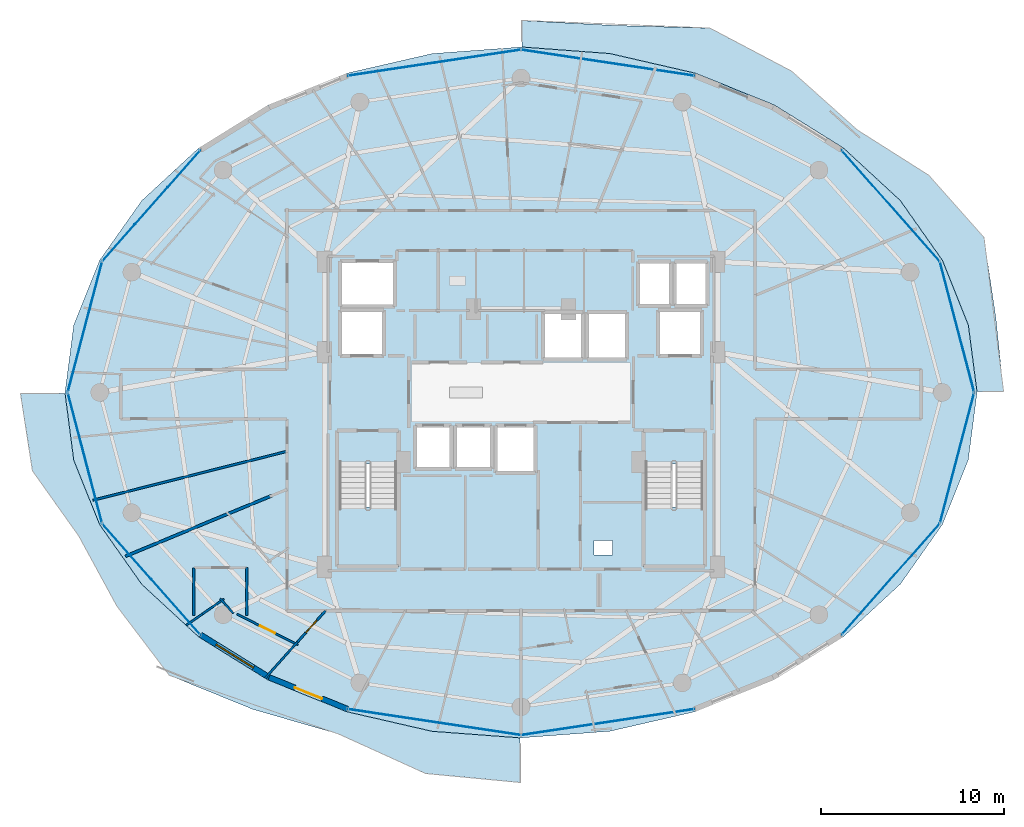
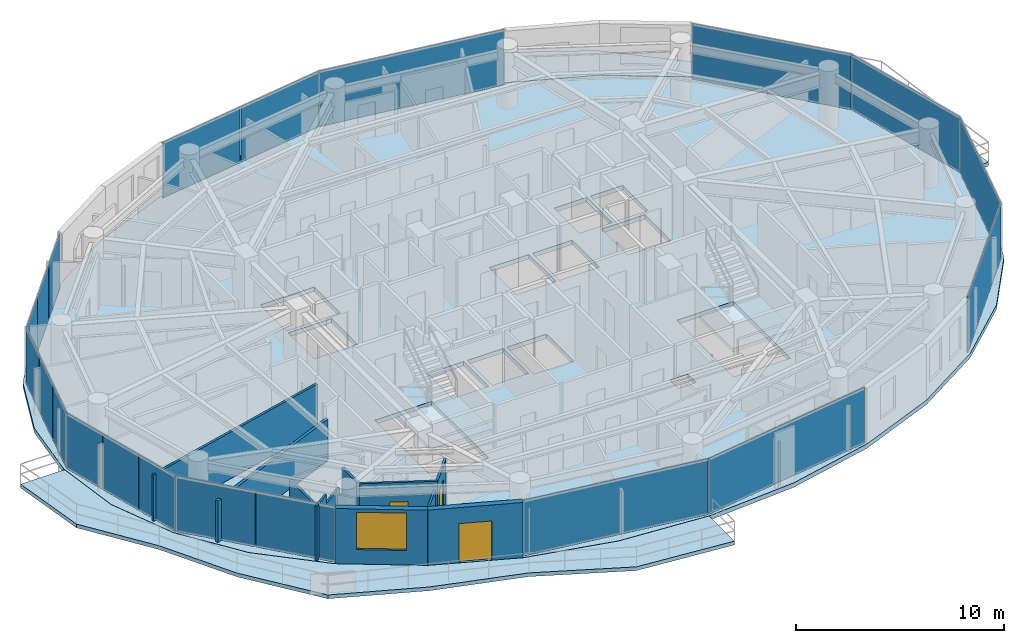
# One storey, part 19 of 28: 20 plates, 12 walls, 5 slabs, 3 doors, 1 window, 4 openings, 6 elements without a shape of their own.
"""IFC4 building model written with IfcOpenShell, lengths in metres."""

from ifc_helpers import new_model, si_unit, direction, frame, frame_2d, origin, origin_2d, place, context, subcontext, project, spatial, polyline, rectangle, outline, extrude, material, layer, layer_set, type_object, element, fill, aggregate, save


model = new_model("IFC4")

# Units and contexts
model_context = context("Model", 3, precision=1e-05, world=origin(), true_north=direction((0.0, 1.0)))
body_context = subcontext(model_context, "Body", "Model", "MODEL_VIEW")
ifc_project = project(units=[si_unit("LENGTHUNIT", "METRE"), si_unit("AREAUNIT", "SQUARE_METRE"), si_unit("VOLUMEUNIT", "CUBIC_METRE"), si_unit("PLANEANGLEUNIT", "RADIAN"), si_unit("MASSUNIT", "GRAM", prefix="KILO")], contexts=[model_context])

# Site, building, storey
site_placement = place(None, origin())
site = spatial("IfcSite", under=ifc_project, at=site_placement, CompositionType="ELEMENT")
building_placement = place(site_placement, origin())
building = spatial("IfcBuilding", under=site, at=building_placement, Name="Vorneva Point Tower", CompositionType="ELEMENT")
storey_placement = place(building_placement, frame((0.0, 0.0, 160.60009765625)))
storey = spatial("IfcBuildingStorey", under=building, at=storey_placement, Name="L43", CompositionType="ELEMENT", Elevation=160.60009765625)

# Curtain wall, plates
ifc_material_1 = material(Name="Pale anodised aluminium", Category="aluminium")
curtain_wall_type = type_object("IfcCurtainWallType", Name="CW-RES-SYS", PredefinedType="NOTDEFINED", material=ifc_material_1)
curtain_wall_1_placement = place(storey_placement, origin())
curtain_wall_1 = element("IfcCurtainWall", 1, at=curtain_wall_1_placement, inside=storey, type_object=curtain_wall_type, Name="L43 Unitised Curtain Wall CW-L43-R01", PredefinedType="NOTDEFINED")
ifc_material_2 = material(Name="Double low-e laminated glass IGU", Category="glass")
ifc_layer_1 = layer(ifc_material_2, 0.035888671875)
ifc_layer_set_1 = layer_set([ifc_layer_1], Name="Double low-e laminated glass IGU")
plate_type = type_object("IfcPlateType", Name="CW-PNL-VIS", PredefinedType="CURTAIN_PANEL", material=ifc_layer_set_1)
plate_1_placement = place(storey_placement, frame((58.22412109375, 15.783203125, -0.02001953125), z_axis=(0.0, 0.0, 1.0), x_axis=(0.662214727207, 0.749314123095, 0.0)))
plate_1 = element("IfcPlate", 2, at=plate_1_placement, type_object=plate_type, Name="CW-L43-R01 Glazed Panel 01", PredefinedType="CURTAIN_PANEL", context=body_context, shape_type="SweptSolid", body=[
    extrude(rectangle(XDim=8.068115234375, YDim=0.035888671875, at=origin_2d()), origin(), (0.0, 0.0, 1.0), 3.280029296875),
])
plate_2_placement = place(storey_placement, frame((61.856201171875, 22.412353515625, -0.02001953125), z_axis=(0.0, 0.0, 1.0), x_axis=(0.254433162972, 0.967090360608, 0.0)))
plate_2 = element("IfcPlate", 3, at=plate_2_placement, type_object=plate_type, Name="CW-L43-R01 Glazed Panel 02", PredefinedType="CURTAIN_PANEL", context=body_context, shape_type="SweptSolid", body=[
    extrude(rectangle(XDim=7.369384765625, YDim=0.035888671875, at=origin_2d()), origin(), (0.0, 0.0, 1.0), 3.280029296875),
])
plate_3_placement = place(storey_placement, frame((61.856201171875, 29.587646484375, -0.02001953125), z_axis=(0.0, 0.0, 1.0), x_axis=(-0.254433162972, 0.967090360608, 0.0)))
plate_3 = element("IfcPlate", 4, at=plate_3_placement, type_object=plate_type, Name="CW-L43-R01 Glazed Panel 03", PredefinedType="CURTAIN_PANEL", context=body_context, shape_type="SweptSolid", body=[
    extrude(rectangle(XDim=7.369384765625, YDim=0.035888671875, at=origin_2d()), origin(), (0.0, 0.0, 1.0), 3.280029296875),
])
plate_4_placement = place(storey_placement, frame((58.22412109375, 36.216796875, -0.02001953125), z_axis=(0.0, 0.0, 1.0), x_axis=(-0.662214727207, 0.749314123095, 0.0)))
plate_4 = element("IfcPlate", 5, at=plate_4_placement, type_object=plate_type, Name="CW-L43-R01 Glazed Panel 04", PredefinedType="CURTAIN_PANEL", context=body_context, shape_type="SweptSolid", body=[
    extrude(rectangle(XDim=8.068115234375, YDim=0.035888671875, at=origin_2d()), origin(), (0.0, 0.0, 1.0), 3.280029296875),
])
aggregate(curtain_wall_1, [plate_1, plate_2, plate_3, plate_4])

curtain_wall_2_placement = place(storey_placement, origin())
curtain_wall_2 = element("IfcCurtainWall", 6, at=curtain_wall_2_placement, inside=storey, type_object=curtain_wall_type, Name="L43 Unitised Curtain Wall CW-L43-R02", PredefinedType="NOTDEFINED")
plate_5_placement = place(storey_placement, frame((42.7451171875, 44.036376953125, -0.02001953125), z_axis=(0.0, 0.0, 1.0), x_axis=(-0.988878712919, 0.148724211669, 0.0)))
plate_5 = element("IfcPlate", 7, at=plate_5_placement, type_object=plate_type, Name="CW-L43-R02 Glazed Panel 01", PredefinedType="CURTAIN_PANEL", context=body_context, shape_type="SweptSolid", body=[
    extrude(rectangle(XDim=9.547119140625, YDim=0.035888671875, at=origin_2d()), origin(), (0.0, 0.0, 1.0), 3.280029296875),
])
plate_6_placement = place(storey_placement, frame((35.62744140625, 44.393310546875, -0.02001953125), z_axis=(0.0, 0.0, 1.0), x_axis=(-0.988878712919, -0.148724211669, 0.0)))
plate_6 = element("IfcPlate", 8, at=plate_6_placement, type_object=plate_type, Name="CW-L43-R02 Glazed Panel 02A", PredefinedType="CURTAIN_PANEL", context=body_context, shape_type="SweptSolid", body=[
    extrude(rectangle(XDim=4.74853515625, YDim=0.035888671875, at=origin_2d()), origin(), (0.0, 0.0, 1.0), 3.280029296875),
])
plate_7_placement = place(storey_placement, frame((30.882080078125, 43.679443359375, -0.02001953125), z_axis=(0.0, 0.0, 1.0), x_axis=(-0.988878712919, -0.148724211669, 0.0)))
plate_7 = element("IfcPlate", 9, at=plate_7_placement, type_object=plate_type, Name="CW-L43-R02 Glazed Panel 02B", PredefinedType="CURTAIN_PANEL", context=body_context, shape_type="SweptSolid", body=[
    extrude(rectangle(XDim=4.74853515625, YDim=0.035888671875, at=origin_2d()), origin(), (0.0, 0.0, 1.0), 3.280029296875),
])
aggregate(curtain_wall_2, [plate_5, plate_6, plate_7])

curtain_wall_3_placement = place(storey_placement, origin())
curtain_wall_3 = element("IfcCurtainWall", 10, at=curtain_wall_3_placement, inside=storey, type_object=curtain_wall_type, Name="L43 Unitised Curtain Wall CW-L43-R03", PredefinedType="NOTDEFINED")
plate_8_placement = place(storey_placement, frame((19.56787109375, 38.244384765625, -0.02001953125), z_axis=(0.0, 0.0, 1.0), x_axis=(-0.662214727207, -0.749314123095, 0.0)))
plate_8 = element("IfcPlate", 11, at=plate_8_placement, type_object=plate_type, Name="CW-L43-R03 Glazed Panel 01A", PredefinedType="CURTAIN_PANEL", context=body_context, shape_type="SweptSolid", body=[
    extrude(rectangle(XDim=2.656005859375, YDim=0.035888671875, at=origin_2d()), origin(), (0.0, 0.0, 1.0), 3.280029296875),
])
plate_9_placement = place(storey_placement, frame((17.77587890625, 36.216796875, -0.02001953125), z_axis=(0.0, 0.0, 1.0), x_axis=(-0.662214727207, -0.749314123095, 0.0)))
plate_9 = element("IfcPlate", 12, at=plate_9_placement, type_object=plate_type, Name="CW-L43-R03 Glazed Panel 01B", PredefinedType="CURTAIN_PANEL", context=body_context, shape_type="SweptSolid", body=[
    extrude(rectangle(XDim=2.656005859375, YDim=0.035888671875, at=origin_2d()), origin(), (0.0, 0.0, 1.0), 3.280029296875),
])
plate_10_placement = place(storey_placement, frame((15.98388671875, 34.189208984375, -0.02001953125), z_axis=(0.0, 0.0, 1.0), x_axis=(-0.662214727207, -0.749314123095, 0.0)))
plate_10 = element("IfcPlate", 13, at=plate_10_placement, type_object=plate_type, Name="CW-L43-R03 Glazed Panel 01C", PredefinedType="CURTAIN_PANEL", context=body_context, shape_type="SweptSolid", body=[
    extrude(rectangle(XDim=2.656005859375, YDim=0.035888671875, at=origin_2d()), origin(), (0.0, 0.0, 1.0), 3.280029296875),
])
plate_11_placement = place(storey_placement, frame((14.773193359375, 31.9794921875, -0.02001953125), z_axis=(0.0, 0.0, 1.0), x_axis=(-0.254433162972, -0.967090360608, 0.0)))
plate_11 = element("IfcPlate", 14, at=plate_11_placement, type_object=plate_type, Name="CW-L43-R03 Glazed Panel 02A", PredefinedType="CURTAIN_PANEL", context=body_context, shape_type="SweptSolid", body=[
    extrude(rectangle(XDim=2.423095703125, YDim=0.035888671875, at=origin_2d()), origin(), (0.0, 0.0, 1.0), 3.280029296875),
])
plate_12_placement = place(storey_placement, frame((14.143798828125, 29.587646484375, -0.02001953125), z_axis=(0.0, 0.0, 1.0), x_axis=(-0.254433162972, -0.967090360608, 0.0)))
plate_12 = element("IfcPlate", 15, at=plate_12_placement, type_object=plate_type, Name="CW-L43-R03 Glazed Panel 02B", PredefinedType="CURTAIN_PANEL", context=body_context, shape_type="SweptSolid", body=[
    extrude(rectangle(XDim=2.423095703125, YDim=0.035888671875, at=origin_2d()), origin(), (0.0, 0.0, 1.0), 3.280029296875),
])
plate_13_placement = place(storey_placement, frame((13.5146484375, 27.19580078125, -0.02001953125), z_axis=(0.0, 0.0, 1.0), x_axis=(-0.254433162972, -0.967090360608, 0.0)))
plate_13 = element("IfcPlate", 16, at=plate_13_placement, type_object=plate_type, Name="CW-L43-R03 Glazed Panel 02C", PredefinedType="CURTAIN_PANEL", context=body_context, shape_type="SweptSolid", body=[
    extrude(rectangle(XDim=2.423095703125, YDim=0.035888671875, at=origin_2d()), origin(), (0.0, 0.0, 1.0), 3.280029296875),
])
plate_14_placement = place(storey_placement, frame((13.5146484375, 24.80419921875, -0.02001953125), z_axis=(0.0, 0.0, 1.0), x_axis=(0.254433162972, -0.967090360608, 0.0)))
plate_14 = element("IfcPlate", 17, at=plate_14_placement, type_object=plate_type, Name="CW-L43-R03 Glazed Panel 03A", PredefinedType="CURTAIN_PANEL", context=body_context, shape_type="SweptSolid", body=[
    extrude(rectangle(XDim=2.423095703125, YDim=0.035888671875, at=origin_2d()), origin(), (0.0, 0.0, 1.0), 3.280029296875),
])
plate_15_placement = place(storey_placement, frame((14.143798828125, 22.412353515625, -0.02001953125), z_axis=(0.0, 0.0, 1.0), x_axis=(0.254433162972, -0.967090360608, 0.0)))
plate_15 = element("IfcPlate", 18, at=plate_15_placement, type_object=plate_type, Name="CW-L43-R03 Glazed Panel 03B", PredefinedType="CURTAIN_PANEL", context=body_context, shape_type="SweptSolid", body=[
    extrude(rectangle(XDim=2.423095703125, YDim=0.035888671875, at=origin_2d()), origin(), (0.0, 0.0, 1.0), 3.280029296875),
])
plate_16_placement = place(storey_placement, frame((14.773193359375, 20.0205078125, -0.02001953125), z_axis=(0.0, 0.0, 1.0), x_axis=(0.254433162972, -0.967090360608, 0.0)))
plate_16 = element("IfcPlate", 19, at=plate_16_placement, type_object=plate_type, Name="CW-L43-R03 Glazed Panel 03C", PredefinedType="CURTAIN_PANEL", context=body_context, shape_type="SweptSolid", body=[
    extrude(rectangle(XDim=2.423095703125, YDim=0.035888671875, at=origin_2d()), origin(), (0.0, 0.0, 1.0), 3.280029296875),
])
plate_17_placement = place(storey_placement, frame((16.431884765625, 17.303955078125, -0.02001953125), z_axis=(0.0, 0.0, 1.0), x_axis=(0.662214727207, -0.749314123095, 0.0)))
plate_17 = element("IfcPlate", 20, at=plate_17_placement, type_object=plate_type, Name="CW-L43-R03 Glazed Panel 04A", PredefinedType="CURTAIN_PANEL", context=body_context, shape_type="SweptSolid", body=[
    extrude(rectangle(XDim=4.009033203125, YDim=0.035888671875, at=origin_2d()), origin(), (0.0, 0.0, 1.0), 3.280029296875),
])
plate_18_placement = place(storey_placement, frame((19.119873046875, 14.262451171875, -0.02001953125), z_axis=(0.0, 0.0, 1.0), x_axis=(0.662214727207, -0.749314123095, 0.0)))
plate_18 = element("IfcPlate", 21, at=plate_18_placement, type_object=plate_type, Name="CW-L43-R03 Glazed Panel 04B", PredefinedType="CURTAIN_PANEL", context=body_context, shape_type="SweptSolid", body=[
    extrude(rectangle(XDim=4.009033203125, YDim=0.035888671875, at=origin_2d()), origin(), (0.0, 0.0, 1.0), 3.280029296875),
])
aggregate(curtain_wall_3, [plate_8, plate_9, plate_10, plate_11, plate_12, plate_13, plate_14, plate_15, plate_16, plate_17, plate_18])

curtain_wall_4_placement = place(storey_placement, origin())
curtain_wall_4 = element("IfcCurtainWall", 22, at=curtain_wall_4_placement, inside=storey, type_object=curtain_wall_type, Name="L43 Unitised Curtain Wall CW-L43-R04", PredefinedType="NOTDEFINED")
plate_19_placement = place(storey_placement, frame((33.2548828125, 7.963623046875, -0.02001953125), z_axis=(0.0, 0.0, 1.0), x_axis=(0.988878712919, -0.148724211669, 0.0)))
plate_19 = element("IfcPlate", 23, at=plate_19_placement, type_object=plate_type, Name="CW-L43-R04 Glazed Panel 01", PredefinedType="CURTAIN_PANEL", context=body_context, shape_type="SweptSolid", body=[
    extrude(rectangle(XDim=9.547119140625, YDim=0.035888671875, at=origin_2d()), origin(), (0.0, 0.0, 1.0), 3.280029296875),
])
plate_20_placement = place(storey_placement, frame((42.7451171875, 7.963623046875, -0.02001953125), z_axis=(0.0, 0.0, 1.0), x_axis=(0.988878712919, 0.148724211669, 0.0)))
plate_20 = element("IfcPlate", 24, at=plate_20_placement, type_object=plate_type, Name="CW-L43-R04 Glazed Panel 02", PredefinedType="CURTAIN_PANEL", context=body_context, shape_type="SweptSolid", body=[
    extrude(rectangle(XDim=9.547119140625, YDim=0.035888671875, at=origin_2d()), origin(), (0.0, 0.0, 1.0), 3.280029296875),
])
aggregate(curtain_wall_4, [plate_19, plate_20])

# Slabs
ifc_material_3 = material(Name="Concrete B50 (C40/50)", Category="concrete")
ifc_layer_2 = layer(ifc_material_3, 0.219970703125)
ifc_layer_set_2 = layer_set([ifc_layer_2], Name="Concrete B50 (C40/50)")
slab_type_1 = type_object("IfcSlabType", Name="SLB-BAL-220", PredefinedType="FLOOR", material=ifc_layer_set_2)
slab_1_placement = place(storey_placement, frame((0.0, 0.0, -0.22021484375)))
element("IfcSlab", 25, at=slab_1_placement, inside=storey, type_object=slab_type_1, Name="L43 Cantilevered Wave Balcony NE", PredefinedType="FLOOR", context=body_context, shape_type="SweptSolid", body=[
    extrude(outline(polyline([(38.050048828125, 46.352294921875), (38.050048828125, 44.900390625), (42.867919921875, 44.540771484375), (42.8681640625, 44.540771484375), (42.868408203125, 44.540771484375), (47.548828125, 43.465087890625), (47.54931640625, 43.465087890625), (47.549560546875, 43.465087890625), (51.863037109375, 41.718505859375), (51.86328125, 41.718505859375), (51.863525390625, 41.71826171875), (55.644287109375, 39.36767578125), (55.644775390625, 39.367431640625), (55.64501953125, 39.3671875), (58.747802734375, 36.503173828125), (58.748291015625, 36.5029296875), (58.74853515625, 36.502685546875), (61.05419921875, 33.235107421875), (61.05419921875, 33.234619140625), (61.054443359375, 33.234130859375), (62.474365234375, 29.688720703125), (62.474365234375, 29.6884765625), (62.474609375, 29.68798828125), (62.474609375, 29.687744140625), (62.947509765625, 26.050048828125), (64.39990234375, 26.050048828125), (63.98046875, 30.083740234375), (63.3291015625, 34.478515625), (60.31005859375, 37.880615234375), (56.397216796875, 40.360595703125), (52.8037109375, 43.576416015625), (48.325439453125, 45.93896484375), (43.10009765625, 46.08056640625), (38.050048828125, 46.352294921875)])), origin(), (0.0, 0.0, 1.0), 0.22021484375),
])
slab_2_placement = place(storey_placement, frame((0.0, 0.0, -0.22021484375)))
element("IfcSlab", 26, at=slab_2_placement, inside=storey, type_object=slab_type_1, Name="L43 Cantilevered Wave Balcony SW", PredefinedType="FLOOR", context=body_context, shape_type="SweptSolid", body=[
    extrude(outline(polyline([(37.949951171875, 4.65966796875), (37.949951171875, 7.099609375), (33.132080078125, 7.459228515625), (33.1318359375, 7.459228515625), (33.131591796875, 7.459228515625), (28.451171875, 8.534912109375), (28.45068359375, 8.534912109375), (28.450439453125, 8.534912109375), (24.136962890625, 10.281494140625), (24.13671875, 10.281494140625), (24.136474609375, 10.28173828125), (20.355712890625, 12.63232421875), (20.355224609375, 12.632568359375), (20.35498046875, 12.6328125), (17.252197265625, 15.496826171875), (17.251708984375, 15.4970703125), (17.25146484375, 15.497314453125), (14.94580078125, 18.764892578125), (14.94580078125, 18.765380859375), (14.945556640625, 18.765869140625), (13.525634765625, 22.311279296875), (13.525634765625, 22.3115234375), (13.525390625, 22.31201171875), (13.525390625, 22.312255859375), (13.052490234375, 25.949951171875), (10.61279296875, 25.949951171875), (11.26708984375, 21.71875), (13.8056640625, 18.14208984375), (15.89501953125, 14.300048828125), (18.757568359375, 10.523193359375), (23.319580078125, 8.667236328125), (28.06201171875, 7.295166015625), (32.783935546875, 5.150390625), (37.949951171875, 4.65966796875)])), origin(), (0.0, 0.0, 1.0), 0.22021484375),
])

# Stair, slab
stair_type = type_object("IfcStairType", Name="ST-DOG-1500", PredefinedType="HALF_TURN_STAIR", material=ifc_material_3)
stair_1_placement = place(storey_placement, origin())
stair_1 = element("IfcStair", 27, at=stair_1_placement, inside=storey, type_object=stair_type, Name="L43 ST1", PredefinedType="HALF_TURN_STAIR")
ifc_layer_3 = layer(ifc_material_3, 0.199951171875)
ifc_layer_set_3 = layer_set([ifc_layer_3], Name="Concrete B50 (C40/50)")
slab_type_2 = type_object("IfcSlabType", Name="SLB-LND-200", PredefinedType="LANDING", material=ifc_layer_set_3)
slab_3_placement = place(storey_placement, frame((0.0, 0.0, 1.5498046875)))
slab_3 = element("IfcSlab", 28, at=slab_3_placement, type_object=slab_type_2, Name="ST1 landing 1", PredefinedType="LANDING", context=body_context, shape_type="SweptSolid", body=[
    extrude(outline(polyline([(27.929931640625, 16.47998046875), (31.320068359375, 16.47998046875), (31.320068359375, 19.72998046875), (27.929931640625, 19.72998046875), (27.929931640625, 16.47998046875)])), origin(), (0.0, 0.0, 1.0), 0.2001953125),
])
aggregate(stair_1, [slab_3])

stair_2_placement = place(storey_placement, origin())
stair_2 = element("IfcStair", 29, at=stair_2_placement, inside=storey, type_object=stair_type, Name="L43 ST2", PredefinedType="HALF_TURN_STAIR")
slab_4_placement = place(storey_placement, frame((0.0, 0.0, 1.5498046875)))
slab_4 = element("IfcSlab", 30, at=slab_4_placement, type_object=slab_type_2, Name="ST2 landing 1", PredefinedType="LANDING", context=body_context, shape_type="SweptSolid", body=[
    extrude(outline(polyline([(44.679931640625, 16.47998046875), (48.070068359375, 16.47998046875), (48.070068359375, 19.72998046875), (44.679931640625, 19.72998046875), (44.679931640625, 16.47998046875)])), origin(), (0.0, 0.0, 1.0), 0.2001953125),
])
aggregate(stair_2, [slab_4])

# Slab
ifc_layer_4 = layer(ifc_material_3, 0.260009765625)
ifc_layer_set_4 = layer_set([ifc_layer_4], Name="Concrete B50 (C40/50)")
slab_type_3 = type_object("IfcSlabType", Name="SLB-TYP-260", PredefinedType="FLOOR", material=ifc_layer_set_4)
slab_5_placement = place(storey_placement, frame((0.0, 0.0, -0.260009765625)))
element("IfcSlab", 31, at=slab_5_placement, inside=storey, type_object=slab_type_3, Name="L43 Structural Floor Plate", PredefinedType="FLOOR", context=body_context, shape_type="SweptSolid", body=[
    extrude(outline(polyline([(62.949951171875, 26.0), (62.470703125, 29.687255859375), (61.05078125, 33.232666015625), (58.7451171875, 36.500244140625), (55.642333984375, 39.3642578125), (51.861572265625, 41.71484375), (47.548095703125, 43.461181640625), (42.867431640625, 44.536865234375), (38.0, 44.89990234375), (33.132568359375, 44.536865234375), (28.451904296875, 43.461181640625), (24.138427734375, 41.71484375), (20.357666015625, 39.3642578125), (17.2548828125, 36.500244140625), (14.94921875, 33.232666015625), (13.529296875, 29.687255859375), (13.050048828125, 26.0), (13.529296875, 22.312744140625), (14.94921875, 18.767333984375), (17.2548828125, 15.499755859375), (20.357666015625, 12.6357421875), (24.138427734375, 10.28515625), (28.451904296875, 8.538818359375), (33.132568359375, 7.463134765625), (38.0, 7.10009765625), (42.867431640625, 7.463134765625), (47.548095703125, 8.538818359375), (51.861572265625, 10.28515625), (55.642333984375, 12.6357421875), (58.7451171875, 15.499755859375), (61.05078125, 18.767333984375), (62.470703125, 22.312744140625), (62.949951171875, 26.0)]), holes=[polyline([(32.199951171875, 21.800048828125), (34.199951171875, 21.800048828125), (34.199951171875, 24.199951171875), (32.199951171875, 24.199951171875), (32.199951171875, 21.800048828125)]), polyline([(34.39990234375, 21.800048828125), (36.39990234375, 21.800048828125), (36.39990234375, 24.199951171875), (34.39990234375, 24.199951171875), (34.39990234375, 21.800048828125)]), polyline([(36.60009765625, 21.60009765625), (38.800048828125, 21.60009765625), (38.800048828125, 24.199951171875), (36.60009765625, 24.199951171875), (36.60009765625, 21.60009765625)]), polyline([(39.199951171875, 27.800048828125), (41.39990234375, 27.800048828125), (41.39990234375, 30.39990234375), (39.199951171875, 30.39990234375), (39.199951171875, 27.800048828125)]), polyline([(41.60009765625, 27.800048828125), (43.800048828125, 27.800048828125), (43.800048828125, 30.39990234375), (41.60009765625, 30.39990234375), (41.60009765625, 27.800048828125)]), polyline([(44.39990234375, 30.739990234375), (46.199951171875, 30.739990234375), (46.199951171875, 33.159912109375), (44.39990234375, 33.159912109375), (44.39990234375, 30.739990234375)]), polyline([(46.39990234375, 30.739990234375), (48.199951171875, 30.739990234375), (48.199951171875, 33.159912109375), (46.39990234375, 33.159912109375), (46.39990234375, 30.739990234375)]), polyline([(28.10009765625, 28.0), (30.5, 28.0), (30.5, 30.5), (28.10009765625, 30.5), (28.10009765625, 28.0)]), polyline([(45.5, 28.0), (47.89990234375, 28.0), (47.89990234375, 30.5), (45.5, 30.5), (45.5, 28.0)]), polyline([(28.10009765625, 30.699951171875), (31.10009765625, 30.699951171875), (31.10009765625, 33.199951171875), (28.10009765625, 33.199951171875), (28.10009765625, 30.699951171875)]), polyline([(28.050048828125, 16.60009765625), (31.199951171875, 16.60009765625), (31.199951171875, 22.080078125), (28.050048828125, 22.080078125), (28.050048828125, 16.60009765625)]), polyline([(44.800048828125, 16.60009765625), (47.949951171875, 16.60009765625), (47.949951171875, 22.080078125), (44.800048828125, 22.080078125), (44.800048828125, 16.60009765625)]), polyline([(42.0, 17.10009765625), (43.0, 17.10009765625), (43.0, 17.89990234375), (42.0, 17.89990234375), (42.0, 17.10009765625)])]), origin(), (0.0, 0.0, 1.0), 0.260009765625),
])

# Wall, opening, window
ifc_material_4 = material(Name="Precast concrete B50 (C40/50)", Category="concrete")
ifc_layer_5 = layer(ifc_material_4, 0.300048828125)
ifc_layer_set_5 = layer_set([ifc_layer_5], Name="Precast concrete B50 (C40/50)")
wall_type_1 = type_object("IfcWallType", Name="WL-EXT-300", PredefinedType="STANDARD", material=ifc_layer_set_5)
wall_1_placement = place(storey_placement, frame((20.4638671875, 12.74169921875, 0.0), z_axis=(0.0, 0.0, 1.0), x_axis=(0.849721181976, -0.527232313977, 0.0)))
wall_1 = element("IfcWall", 32, at=wall_1_placement, inside=storey, type_object=wall_type_1, Name="L43 Pale-Metal Facade Spandrel Wall 11.1", PredefinedType="STANDARD", context=body_context, shape_type="SweptSolid", body=[
    extrude(rectangle(XDim=4.422607421875, YDim=0.300048828125, at=frame_2d((2.21142578125, 0.0))), origin(), (0.0, 0.0, 1.0), 3.239990234375),
])
opening_1_placement = place(wall_1_placement, frame((1.011474609375, 0.0, 0.85009765625)))
opening_1 = element("IfcOpeningElement", 33, at=opening_1_placement, cuts=wall_1, Name="Opening W-03", PredefinedType="OPENING", context=body_context, shape_type="SweptSolid", body=[
    extrude(rectangle(XDim=2.39990234375, YDim=2.18994140625, at=frame_2d((1.199951171875, 1.094970703125))), frame((0.0, 0.1650390625, 0.0), z_axis=(0.0, -1.0, 0.0), x_axis=(1.0, 0.0, 0.0)), (0.0, 0.0, 1.0), 0.329833984375),
])
window_type = type_object("IfcWindowType", Name="WN-RES-2400", PartitioningType="SINGLE_PANEL", PredefinedType="WINDOW", material=ifc_material_2)
window_placement = place(opening_1_placement, origin())
window = element("IfcWindow", 34, at=window_placement, inside=storey, type_object=window_type, Name="L43 Facade Window 11", OverallHeight=2.18994140625, OverallWidth=2.39990234375, PartitioningType="SINGLE_PANEL", PredefinedType="WINDOW", context=body_context, shape_type="SweptSolid", body=[
    extrude(rectangle(XDim=2.39990234375, YDim=2.18994140625, at=frame_2d((1.199951171875, 1.094970703125))), frame((0.0, 0.030029296875, 0.0), z_axis=(0.0, -1.0, 0.0), x_axis=(1.0, 0.0, 0.0)), (0.0, 0.0, 1.0), 0.06005859375),
])
fill(opening_1, window)

# Wall, opening, door
wall_2_placement = place(storey_placement, frame((24.221923828125, 10.409912109375, 0.0), z_axis=(0.0, 0.0, 1.0), x_axis=(0.927156504392, -0.374674280359, 0.0)))
wall_2 = element("IfcWall", 35, at=wall_2_placement, inside=storey, type_object=wall_type_1, Name="L43 Pale-Metal Facade Spandrel Wall 11.2", PredefinedType="STANDARD", context=body_context, shape_type="SweptSolid", body=[
    extrude(rectangle(XDim=4.62451171875, YDim=0.300048828125, at=frame_2d((2.312255859375, 0.0))), origin(), (0.0, 0.0, 1.0), 3.239990234375),
])
opening_2_placement = place(wall_2_placement, frame((1.51220703125, 0.0, 0.0)))
opening_2 = element("IfcOpeningElement", 36, at=opening_2_placement, cuts=wall_2, Name="Opening BD-01", PredefinedType="OPENING", context=body_context, shape_type="SweptSolid", body=[
    extrude(rectangle(XDim=1.60009765625, YDim=2.300048828125, at=frame_2d((0.800048828125, 1.14990234375))), frame((0.0, 0.1650390625, 0.0), z_axis=(0.0, -1.0, 0.0), x_axis=(1.0, 0.0, 0.0)), (0.0, 0.0, 1.0), 0.329833984375),
])
door_type_1 = type_object("IfcDoorType", Name="DR-BAL-1600", OperationType="SLIDING_TO_LEFT", PredefinedType="DOOR", material=ifc_material_1)
door_1_placement = place(opening_2_placement, origin())
door_1 = element("IfcDoor", 37, at=door_1_placement, inside=storey, type_object=door_type_1, Name="L43 Balcony Terrace Access Door 11", OperationType="SLIDING_TO_LEFT", OverallHeight=2.300048828125, OverallWidth=1.60009765625, PredefinedType="DOOR", context=body_context, shape_type="SweptSolid", body=[
    extrude(rectangle(XDim=1.60009765625, YDim=2.300048828125, at=frame_2d((0.800048828125, 1.14990234375))), frame((0.0, 0.02490234375, 0.0), z_axis=(0.0, -1.0, 0.0), x_axis=(1.0, 0.0, 0.0)), (0.0, 0.0, 1.0), 0.050048828125),
])
fill(opening_2, door_1)

ifc_material_5 = material(Name="Fire-rated acoustic gypsum stud partition", Category="gypsum")
ifc_layer_6 = layer(ifc_material_5, 0.110107421875)
ifc_layer_set_6 = layer_set([ifc_layer_6], Name="Fire-rated acoustic gypsum stud partition")
wall_type_2 = type_object("IfcWallType", Name="WL-PART-110", PredefinedType="PARTITIONING", material=ifc_layer_set_6)
wall_3_placement = place(storey_placement, frame((22.45703125, 13.8720703125, 0.0), z_axis=(0.0, 0.0, 1.0), x_axis=(0.892531160695, -0.450985728364, 0.0)))
wall_3 = element("IfcWall", 38, at=wall_3_placement, inside=storey, type_object=wall_type_2, Name="L43 Interior Partition 105", PredefinedType="PARTITIONING", context=body_context, shape_type="SweptSolid", body=[
    extrude(rectangle(XDim=3.75, YDim=0.110107421875, at=frame_2d((1.875, 0.0))), origin(), (0.0, 0.0, 1.0), 3.239990234375),
])
opening_3_placement = place(wall_3_placement, frame((1.425048828125, 0.0, 0.0)))
opening_3 = element("IfcOpeningElement", 39, at=opening_3_placement, cuts=wall_3, Name="Opening ID-01", PredefinedType="OPENING", context=body_context, shape_type="SweptSolid", body=[
    extrude(rectangle(XDim=0.89990234375, YDim=2.10009765625, at=frame_2d((0.449951171875, 1.050048828125))), frame((0.0, 0.06982421875, 0.0), z_axis=(0.0, -1.0, 0.0), x_axis=(1.0, 0.0, 0.0)), (0.0, 0.0, 1.0), 0.139892578125),
])
ifc_material_6 = material(Name="Engineered oak fire-rated door leaf", Category="wood")
door_type_2 = type_object("IfcDoorType", Name="DR-ROOM-900", OperationType="NOTDEFINED", PredefinedType="DOOR", material=ifc_material_6)
door_2_placement = place(opening_3_placement, origin())
door_2 = element("IfcDoor", 40, at=door_2_placement, inside=storey, type_object=door_type_2, Name="L43 Door Living and Dining Room L43-03 / Kitchen L43-03", OperationType="SINGLE_SWING_RIGHT", OverallHeight=2.10009765625, OverallWidth=0.89990234375, PredefinedType="DOOR", context=body_context, shape_type="SweptSolid", body=[
    extrude(rectangle(XDim=0.89990234375, YDim=2.10009765625, at=frame_2d((0.449951171875, 1.050048828125))), frame((0.0, 0.02490234375, 0.0), z_axis=(0.0, -1.0, 0.0), x_axis=(1.0, 0.0, 0.0)), (0.0, 0.0, 1.0), 0.050048828125),
])
fill(opening_3, door_2)

# Walls
wall_4_placement = place(storey_placement, frame((25.7724609375, 12.348388671875, 0.0), z_axis=(0.0, 0.0, 1.0), x_axis=(-0.667094551448, -0.744973059532, 0.0)))
element("IfcWall", 41, at=wall_4_placement, inside=storey, type_object=wall_type_2, Name="L43 Interior Partition 106", PredefinedType="PARTITIONING", context=body_context, shape_type="SweptSolid", body=[
    extrude(rectangle(XDim=2.642822265625, YDim=0.110107421875, at=frame_2d((1.3212890625, 0.0))), origin(), (0.0, 0.0, 1.0), 2.727783203125),
])
wall_5_placement = place(storey_placement, frame((19.69091796875, 13.26904296875, 0.0), z_axis=(0.0, 0.0, 1.0), x_axis=(0.821239462259, 0.57058368854, 0.0)))
element("IfcWall", 42, at=wall_5_placement, inside=storey, type_object=wall_type_2, Name="L43 Interior Partition 107", PredefinedType="PARTITIONING", context=body_context, shape_type="SweptSolid", body=[
    extrude(rectangle(XDim=1.0712890625, YDim=0.110107421875, at=frame_2d((0.53564453125, 0.0))), origin(), (0.0, 0.0, 1.0), 3.239990234375),
])
wall_6_placement = place(storey_placement, frame((22.253662109375, 13.9169921875, 0.0), z_axis=(0.0, 0.0, 1.0), x_axis=(-0.662363540736, 0.749182581154, 0.0)))
element("IfcWall", 43, at=wall_6_placement, inside=storey, type_object=wall_type_2, Name="L43 Interior Partition 112", PredefinedType="PARTITIONING", context=body_context, shape_type="SweptSolid", body=[
    extrude(rectangle(XDim=1.076904296875, YDim=0.110107421875, at=frame_2d((0.53857421875, 0.0))), origin(), (0.0, 0.0, 1.0), 2.431884765625),
])
wall_7_placement = place(storey_placement, frame((21.747802734375, 14.698974609375, 0.0), z_axis=(0.0, 0.0, 1.0), x_axis=(-0.821040550937, -0.570869874592, 0.0)))
element("IfcWall", 44, at=wall_7_placement, inside=storey, type_object=wall_type_2, Name="L43 Interior Partition 113", PredefinedType="PARTITIONING", context=body_context, shape_type="SweptSolid", body=[
    extrude(rectangle(XDim=1.5439453125, YDim=0.110107421875, at=frame_2d((0.77197265625, 0.0))), origin(), (0.0, 0.0, 1.0), 2.727783203125),
])
ifc_layer_7 = layer(ifc_material_5, 0.125)
ifc_layer_set_7 = layer_set([ifc_layer_7], Name="Fire-rated acoustic gypsum stud partition")
wall_type_3 = type_object("IfcWallType", Name="WL-PART-125", PredefinedType="PARTITIONING", material=ifc_layer_set_7)
wall_8_placement = place(storey_placement, frame((14.575927734375, 20.10302734375, 0.0), z_axis=(0.0, 0.0, 1.0), x_axis=(0.969732134757, 0.244171224389, 0.0)))
element("IfcWall", 45, at=wall_8_placement, inside=storey, type_object=wall_type_3, Name="L43 Interior Partition 100", PredefinedType="PARTITIONING", context=body_context, shape_type="SweptSolid", body=[
    extrude(rectangle(XDim=10.95556640625, YDim=0.125, at=frame_2d((5.477783203125, 0.0))), origin(), (0.0, 0.0, 1.0), 2.727783203125),
])
wall_9_placement = place(storey_placement, frame((20.09912109375, 13.80908203125, 0.0), z_axis=(0.0, 0.0, 1.0), x_axis=(0.0, 1.0, 0.0)))
element("IfcWall", 46, at=wall_9_placement, inside=storey, type_object=wall_type_3, Name="L43 Interior Partition 108", PredefinedType="PARTITIONING", context=body_context, shape_type="SweptSolid", body=[
    extrude(rectangle(XDim=2.599853515625, YDim=0.125, at=frame_2d((1.2998046875, 0.0))), origin(), (0.0, 0.0, 1.0), 2.727783203125),
])
wall_10_placement = place(storey_placement, frame((22.9990234375, 16.408935546875, 0.0), z_axis=(0.0, 0.0, 1.0), x_axis=(0.0, -1.0, 0.0)))
element("IfcWall", 47, at=wall_10_placement, inside=storey, type_object=wall_type_3, Name="L43 Interior Partition 110", PredefinedType="PARTITIONING", context=body_context, shape_type="SweptSolid", body=[
    extrude(rectangle(XDim=2.599853515625, YDim=0.125, at=frame_2d((1.2998046875, 0.0))), origin(), (0.0, 0.0, 1.0), 2.431884765625),
])

# Wall, opening, door
wall_11_placement = place(storey_placement, frame((25.772705078125, 12.34814453125, 0.0), z_axis=(0.0, 0.0, 1.0), x_axis=(0.667197684579, 0.744880694939, 0.0)))
wall_11 = element("IfcWall", 48, at=wall_11_placement, inside=storey, type_object=wall_type_3, Name="L43 Interior Partition 111", PredefinedType="PARTITIONING", context=body_context, shape_type="SweptSolid", body=[
    extrude(rectangle(XDim=2.284912109375, YDim=0.125, at=frame_2d((1.142578125, 0.0))), origin(), (0.0, 0.0, 1.0), 2.885986328125),
])
opening_4_placement = place(wall_11_placement, frame((0.6923828125, 0.0, 0.0)))
opening_4 = element("IfcOpeningElement", 49, at=opening_4_placement, cuts=wall_11, Name="Opening ID-01", PredefinedType="OPENING", context=body_context, shape_type="SweptSolid", body=[
    extrude(rectangle(XDim=0.89990234375, YDim=2.10009765625, at=frame_2d((0.449951171875, 1.050048828125))), frame((0.0, 0.077392578125, 0.0), z_axis=(0.0, -1.0, 0.0), x_axis=(1.0, 0.0, 0.0)), (0.0, 0.0, 1.0), 0.15478515625),
])
door_3_placement = place(opening_4_placement, origin())
door_3 = element("IfcDoor", 50, at=door_3_placement, inside=storey, type_object=door_type_2, Name="L43 Door Living and Dining Room L43-03 / Master Bedroom L43-03.1", OperationType="SINGLE_SWING_RIGHT", OverallHeight=2.10009765625, OverallWidth=0.89990234375, PredefinedType="DOOR", context=body_context, shape_type="SweptSolid", body=[
    extrude(rectangle(XDim=0.89990234375, YDim=2.10009765625, at=frame_2d((0.449951171875, 1.050048828125))), frame((0.0, 0.02490234375, 0.0), z_axis=(0.0, -1.0, 0.0), x_axis=(1.0, 0.0, 0.0)), (0.0, 0.0, 1.0), 0.050048828125),
])
fill(opening_4, door_3)

# Wall
ifc_layer_8 = layer(ifc_material_5, 0.159912109375)
ifc_layer_set_8 = layer_set([ifc_layer_8], Name="Fire-rated acoustic gypsum stud partition")
wall_type_4 = type_object("IfcWallType", Name="WL-PART-160", PredefinedType="PARTITIONING", material=ifc_layer_set_8)
wall_12_placement = place(storey_placement, frame((16.35498046875, 17.034912109375, 0.0), z_axis=(0.0, 0.0, 1.0), x_axis=(0.923885339237, 0.382669413387, 0.0)))
element("IfcWall", 51, at=wall_12_placement, inside=storey, type_object=wall_type_4, Name="L43 Interior Partition 101", PredefinedType="PARTITIONING", context=body_context, shape_type="SweptSolid", body=[
    extrude(rectangle(XDim=8.689453125, YDim=0.159912109375, at=frame_2d((4.3447265625, 0.0))), origin(), (0.0, 0.0, 1.0), 2.431884765625),
])

save(model, "model.ifc")
